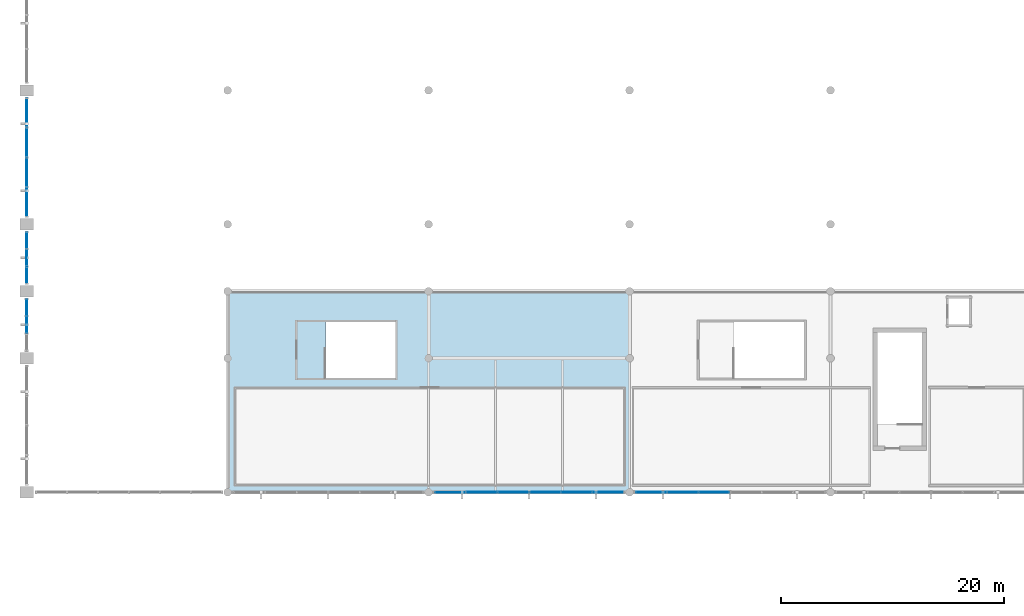
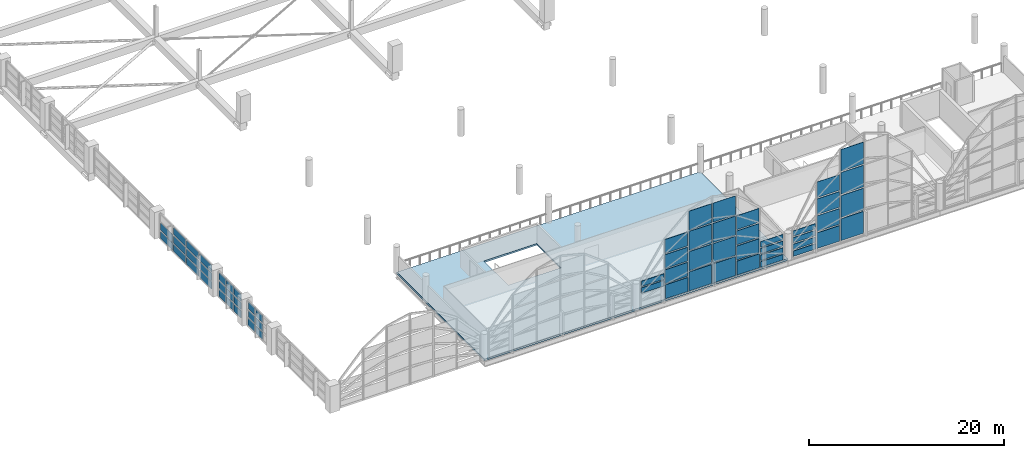
# One storey, part 84 of 116: 60 plates, 1 slab, 5 elements without a shape of their own.
"""IFC4 building model written with IfcOpenShell, lengths in metres."""

from ifc_helpers import new_model, si_unit, direction, frame, origin, origin_2d, place, context, subcontext, project, spatial, polyline, rectangle, outline, extrude, material, layer, layer_set, type_object, element, aggregate, save


model = new_model("IFC4")

# Units and contexts
model_context = context("Model", 3, precision=1e-05, world=origin(), true_north=direction((0.0, 1.0)))
body_context = subcontext(model_context, "Body", "Model", "MODEL_VIEW")
ifc_project = project(units=[si_unit("LENGTHUNIT", "METRE"), si_unit("AREAUNIT", "SQUARE_METRE"), si_unit("VOLUMEUNIT", "CUBIC_METRE"), si_unit("PLANEANGLEUNIT", "RADIAN"), si_unit("MASSUNIT", "GRAM", prefix="KILO")], contexts=[model_context])

# Site, building, storey
site_placement = place(None, origin())
site = spatial("IfcSite", under=ifc_project, at=site_placement, CompositionType="ELEMENT")
building_placement = place(site_placement, origin())
building = spatial("IfcBuilding", under=site, at=building_placement, Name="Chuanluo Vaults Station", CompositionType="ELEMENT")
storey_placement = place(building_placement, frame((0.0, 0.0, 10.800048828125)))
storey = spatial("IfcBuildingStorey", under=building, at=storey_placement, Name="L02", CompositionType="ELEMENT", Elevation=10.800048828125)

# Curtain wall, plates
ifc_material_1 = material(Name="Anodised aluminium 6063-T6", Category="aluminium")
curtain_wall_type_1 = type_object("IfcCurtainWallType", Name="CW-SYS-01", PredefinedType="NOTDEFINED", material=ifc_material_1)
curtain_wall_1_placement = place(storey_placement, origin())
curtain_wall_1 = element("IfcCurtainWall", 1, at=curtain_wall_1_placement, inside=storey, type_object=curtain_wall_type_1, Name="Train shed west clerestory CW 30 part 1", PredefinedType="NOTDEFINED")
ifc_material_2 = material(Name="Ceramic-fritted spandrel glass", Category="glass")
ifc_layer_1 = layer(ifc_material_2, 0.06396484375)
ifc_layer_set_1 = layer_set([ifc_layer_1], Name="Ceramic-fritted spandrel glass")
plate_type_1 = type_object("IfcPlateType", Name="CWP-SPN-42", PredefinedType="SHEET", material=ifc_layer_set_1)
plate_1_placement = place(storey_placement, frame((0.0, 33.0, 0.080078125), z_axis=(0.0, 0.0, 1.0), x_axis=(0.0, 1.0, 0.0)))
plate_1 = element("IfcPlate", 2, at=plate_1_placement, type_object=plate_type_1, Name="Train shed west clerestory CW 30 part 1 glazed panel 2.1", PredefinedType="SHEET", context=body_context, shape_type="SweptSolid", body=[
    extrude(rectangle(XDim=1.389892578125, YDim=0.06396484375, at=origin_2d()), origin(), (0.0, 0.0, 1.0), 0.889892578125),
])
plate_2_placement = place(storey_placement, frame((0.0, 34.550048828125, 0.080078125), z_axis=(0.0, 0.0, 1.0), x_axis=(0.0, 1.0, 0.0)))
plate_2 = element("IfcPlate", 3, at=plate_2_placement, type_object=plate_type_1, Name="Train shed west clerestory CW 30 part 1 glazed panel 3.1", PredefinedType="SHEET", context=body_context, shape_type="SweptSolid", body=[
    extrude(rectangle(XDim=1.389892578125, YDim=0.06396484375, at=origin_2d()), origin(), (0.0, 0.0, 1.0), 0.889892578125),
])

ifc_material_3 = material(Name="Anodised aluminium 6063-T6", Category="aluminium")
curtain_wall_type_2 = type_object("IfcCurtainWallType", Name="CW-SYS-07", PredefinedType="NOTDEFINED", material=ifc_material_3)
curtain_wall_2_placement = place(storey_placement, origin())
curtain_wall_2 = element("IfcCurtainWall", 4, at=curtain_wall_2_placement, inside=storey, type_object=curtain_wall_type_2, Name="Train shed west clerestory CW 42", PredefinedType="NOTDEFINED")
plate_3_placement = place(storey_placement, frame((0.0, 44.006103515625, 0.080078125), z_axis=(0.0, 0.0, 1.0), x_axis=(0.0, 1.0, 0.0)))
plate_3 = element("IfcPlate", 5, at=plate_3_placement, type_object=plate_type_1, Name="Train shed west clerestory CW 42 glazed panel 1.1", PredefinedType="SHEET", context=body_context, shape_type="SweptSolid", body=[
    extrude(rectangle(XDim=2.50244140625, YDim=0.06396484375, at=origin_2d()), origin(), (0.0, 0.0, 1.0), 0.889892578125),
])
plate_4_placement = place(storey_placement, frame((0.0, 46.668701171875, 0.080078125), z_axis=(0.0, 0.0, 1.0), x_axis=(0.0, 1.0, 0.0)))
plate_4 = element("IfcPlate", 6, at=plate_4_placement, type_object=plate_type_1, Name="Train shed west clerestory CW 42 glazed panel 2.1", PredefinedType="SHEET", context=body_context, shape_type="SweptSolid", body=[
    extrude(rectangle(XDim=2.50244140625, YDim=0.06396484375, at=origin_2d()), origin(), (0.0, 0.0, 1.0), 0.889892578125),
])
plate_5_placement = place(storey_placement, frame((0.0, 49.331298828125, 0.080078125), z_axis=(0.0, 0.0, 1.0), x_axis=(0.0, 1.0, 0.0)))
plate_5 = element("IfcPlate", 7, at=plate_5_placement, type_object=plate_type_1, Name="Train shed west clerestory CW 42 glazed panel 3.1", PredefinedType="SHEET", context=body_context, shape_type="SweptSolid", body=[
    extrude(rectangle(XDim=2.50244140625, YDim=0.06396484375, at=origin_2d()), origin(), (0.0, 0.0, 1.0), 0.889892578125),
])
plate_6_placement = place(storey_placement, frame((0.0, 51.993896484375, 0.080078125), z_axis=(0.0, 0.0, 1.0), x_axis=(0.0, 1.0, 0.0)))
plate_6 = element("IfcPlate", 8, at=plate_6_placement, type_object=plate_type_1, Name="Train shed west clerestory CW 42 glazed panel 4.1", PredefinedType="SHEET", context=body_context, shape_type="SweptSolid", body=[
    extrude(rectangle(XDim=2.50244140625, YDim=0.06396484375, at=origin_2d()), origin(), (0.0, 0.0, 1.0), 0.889892578125),
])

ifc_material_4 = material(Name="Anodised aluminium 6063-T6", Category="aluminium")
curtain_wall_type_3 = type_object("IfcCurtainWallType", Name="CW-SYS-08", PredefinedType="NOTDEFINED", material=ifc_material_4)
curtain_wall_3_placement = place(storey_placement, origin())
curtain_wall_3 = element("IfcCurtainWall", 9, at=curtain_wall_3_placement, inside=storey, type_object=curtain_wall_type_3, Name="Vault V3 south arched curtain wall", PredefinedType="NOTDEFINED")
ifc_material_5 = material(Name="Ceramic-fritted spandrel glass", Category="glass")
ifc_layer_2 = layer(ifc_material_5, 0.070068359375)
ifc_layer_set_2 = layer_set([ifc_layer_2], Name="Ceramic-fritted spandrel glass")
plate_type_2 = type_object("IfcPlateType", Name="CWP-SPN-50", PredefinedType="SHEET", material=ifc_layer_set_2)
plate_7_placement = place(storey_placement, frame((52.0625, 18.0, 0.080078125), z_axis=(0.0, 0.0, 1.0), x_axis=(-1.0, 0.0, 0.0)))
plate_7 = element("IfcPlate", 10, at=plate_7_placement, type_object=plate_type_2, Name="Vault V3 south arched curtain wall glazed panel 1.1", PredefinedType="SHEET", context=body_context, shape_type="SweptSolid", body=[
    extrude(rectangle(XDim=2.6650390625, YDim=0.070068359375, at=origin_2d()), origin(), (0.0, 0.0, 1.0), 0.677490234375),
])
plate_8_placement = place(storey_placement, frame((49.237548828125, 18.0, 0.080078125), z_axis=(0.0, 0.0, 1.0), x_axis=(-1.0, 0.0, 0.0)))
plate_8 = element("IfcPlate", 11, at=plate_8_placement, type_object=plate_type_2, Name="Vault V3 south arched curtain wall glazed panel 2.1", PredefinedType="SHEET", context=body_context, shape_type="SweptSolid", body=[
    extrude(rectangle(XDim=2.6650390625, YDim=0.070068359375, at=origin_2d()), origin(), (0.0, 0.0, 1.0), 1.739990234375),
])
plate_9_placement = place(storey_placement, frame((46.41259765625, 18.0, 0.080078125), z_axis=(0.0, 0.0, 1.0), x_axis=(-1.0, 0.0, 0.0)))
plate_9 = element("IfcPlate", 12, at=plate_9_placement, type_object=plate_type_2, Name="Vault V3 south arched curtain wall glazed panel 3.1", PredefinedType="SHEET", context=body_context, shape_type="SweptSolid", body=[
    extrude(rectangle(XDim=2.6650390625, YDim=0.070068359375, at=origin_2d()), origin(), (0.0, 0.0, 1.0), 2.37744140625),
])
plate_10_placement = place(storey_placement, frame((43.58740234375, 18.0, 0.080078125), z_axis=(0.0, 0.0, 1.0), x_axis=(-1.0, 0.0, 0.0)))
plate_10 = element("IfcPlate", 13, at=plate_10_placement, type_object=plate_type_2, Name="Vault V3 south arched curtain wall glazed panel 4.1", PredefinedType="SHEET", context=body_context, shape_type="SweptSolid", body=[
    extrude(rectangle(XDim=2.6650390625, YDim=0.070068359375, at=origin_2d()), origin(), (0.0, 0.0, 1.0), 2.37744140625),
])
plate_11_placement = place(storey_placement, frame((40.762451171875, 18.0, 0.080078125), z_axis=(0.0, 0.0, 1.0), x_axis=(-1.0, 0.0, 0.0)))
plate_11 = element("IfcPlate", 14, at=plate_11_placement, type_object=plate_type_2, Name="Vault V3 south arched curtain wall glazed panel 5.1", PredefinedType="SHEET", context=body_context, shape_type="SweptSolid", body=[
    extrude(rectangle(XDim=2.6650390625, YDim=0.070068359375, at=origin_2d()), origin(), (0.0, 0.0, 1.0), 1.739990234375),
])

ifc_material_6 = material(Name="Anodised aluminium 6063-T6", Category="aluminium")
curtain_wall_type_4 = type_object("IfcCurtainWallType", Name="CW-SYS-12", PredefinedType="NOTDEFINED", material=ifc_material_6)
curtain_wall_4_placement = place(storey_placement, origin())
curtain_wall_4 = element("IfcCurtainWall", 15, at=curtain_wall_4_placement, inside=storey, type_object=curtain_wall_type_4, Name="Vault V4 south arched curtain wall", PredefinedType="NOTDEFINED")
plate_12_placement = place(storey_placement, frame((61.58740234375, 18.0, 0.080078125), z_axis=(0.0, 0.0, 1.0), x_axis=(-1.0, 0.0, 0.0)))
plate_12 = element("IfcPlate", 16, at=plate_12_placement, type_object=plate_type_2, Name="Vault V4 south arched curtain wall glazed panel 4.1", PredefinedType="SHEET", context=body_context, shape_type="SweptSolid", body=[
    extrude(rectangle(XDim=2.6650390625, YDim=0.070068359375, at=origin_2d()), origin(), (0.0, 0.0, 1.0), 2.73291015625),
])
plate_13_placement = place(storey_placement, frame((58.762451171875, 18.0, 0.080078125), z_axis=(0.0, 0.0, 1.0), x_axis=(-1.0, 0.0, 0.0)))
plate_13 = element("IfcPlate", 17, at=plate_13_placement, type_object=plate_type_2, Name="Vault V4 south arched curtain wall glazed panel 5.1", PredefinedType="SHEET", context=body_context, shape_type="SweptSolid", body=[
    extrude(rectangle(XDim=2.6650390625, YDim=0.070068359375, at=origin_2d()), origin(), (0.0, 0.0, 1.0), 1.962158203125),
])
plate_14_placement = place(storey_placement, frame((55.9375, 18.0, 0.080078125), z_axis=(0.0, 0.0, 1.0), x_axis=(-1.0, 0.0, 0.0)))
plate_14 = element("IfcPlate", 18, at=plate_14_placement, type_object=plate_type_2, Name="Vault V4 south arched curtain wall glazed panel 6.1", PredefinedType="SHEET", context=body_context, shape_type="SweptSolid", body=[
    extrude(rectangle(XDim=2.6650390625, YDim=0.070068359375, at=origin_2d()), origin(), (0.0, 0.0, 1.0), 0.677490234375),
])

ifc_material_7 = material(Name="Anodised aluminium 6063-T6", Category="aluminium")
curtain_wall_type_5 = type_object("IfcCurtainWallType", Name="CW-SYS-02", PredefinedType="NOTDEFINED", material=ifc_material_7)
curtain_wall_5_placement = place(storey_placement, origin())
curtain_wall_5 = element("IfcCurtainWall", 19, at=curtain_wall_5_placement, inside=storey, type_object=curtain_wall_type_5, Name="Train shed west clerestory CW 30 part 2", PredefinedType="NOTDEFINED")
plate_15_placement = place(storey_placement, frame((0.0, 37.449951171875, 0.080078125), z_axis=(0.0, 0.0, 1.0), x_axis=(0.0, 1.0, 0.0)))
plate_15 = element("IfcPlate", 20, at=plate_15_placement, type_object=plate_type_2, Name="Train shed west clerestory CW 30 part 2 glazed panel 1.1", PredefinedType="SHEET", context=body_context, shape_type="SweptSolid", body=[
    extrude(rectangle(XDim=1.389892578125, YDim=0.070068359375, at=origin_2d()), origin(), (0.0, 0.0, 1.0), 0.889892578125),
])
plate_16_placement = place(storey_placement, frame((0.0, 39.0, 0.080078125), z_axis=(0.0, 0.0, 1.0), x_axis=(0.0, 1.0, 0.0)))
plate_16 = element("IfcPlate", 21, at=plate_16_placement, type_object=plate_type_2, Name="Train shed west clerestory CW 30 part 2 glazed panel 2.1", PredefinedType="SHEET", context=body_context, shape_type="SweptSolid", body=[
    extrude(rectangle(XDim=1.389892578125, YDim=0.070068359375, at=origin_2d()), origin(), (0.0, 0.0, 1.0), 0.889892578125),
])
plate_17_placement = place(storey_placement, frame((0.0, 40.550048828125, 0.080078125), z_axis=(0.0, 0.0, 1.0), x_axis=(0.0, 1.0, 0.0)))
plate_17 = element("IfcPlate", 22, at=plate_17_placement, type_object=plate_type_2, Name="Train shed west clerestory CW 30 part 2 glazed panel 3.1", PredefinedType="SHEET", context=body_context, shape_type="SweptSolid", body=[
    extrude(rectangle(XDim=1.389892578125, YDim=0.070068359375, at=origin_2d()), origin(), (0.0, 0.0, 1.0), 0.889892578125),
])

# Plate
ifc_material_8 = material(Name="Double-silver Low-E laminated glass", Category="glass")
ifc_layer_3 = layer(ifc_material_8, 0.0439453125)
ifc_layer_set_3 = layer_set([ifc_layer_3], Name="Double-silver Low-E laminated glass")
plate_type_3 = type_object("IfcPlateType", Name="CWP-VIS-28", PredefinedType="CURTAIN_PANEL", material=ifc_layer_set_3)
plate_18_placement = place(storey_placement, frame((52.0625, 18.0, 0.91748046875), z_axis=(0.0, 0.0, 1.0), x_axis=(-1.0, 0.0, 0.0)))
plate_18 = element("IfcPlate", 23, at=plate_18_placement, type_object=plate_type_3, Name="Vault V3 south arched curtain wall glazed panel 1.2", PredefinedType="CURTAIN_PANEL", context=body_context, shape_type="SweptSolid", body=[
    extrude(rectangle(XDim=2.6650390625, YDim=0.0439453125, at=origin_2d()), origin(), (0.0, 0.0, 1.0), 0.677490234375),
])

plate_19_placement = place(storey_placement, frame((52.0625, 18.0, 1.7548828125), z_axis=(0.0, 0.0, 1.0), x_axis=(-1.0, 0.0, 0.0)))
plate_19 = element("IfcPlate", 24, at=plate_19_placement, type_object=plate_type_3, Name="Vault V3 south arched curtain wall glazed panel 1.3", PredefinedType="CURTAIN_PANEL", context=body_context, shape_type="SweptSolid", body=[
    extrude(rectangle(XDim=2.6650390625, YDim=0.0439453125, at=origin_2d()), origin(), (0.0, 0.0, 1.0), 0.677490234375),
])

plate_20_placement = place(storey_placement, frame((52.0625, 18.0, 2.59228515625), z_axis=(0.0, 0.0, 1.0), x_axis=(-1.0, 0.0, 0.0)))
plate_20 = element("IfcPlate", 25, at=plate_20_placement, type_object=plate_type_3, Name="Vault V3 south arched curtain wall glazed panel 1.4", PredefinedType="CURTAIN_PANEL", context=body_context, shape_type="SweptSolid", body=[
    extrude(rectangle(XDim=2.6650390625, YDim=0.0439453125, at=origin_2d()), origin(), (0.0, 0.0, 1.0), 0.677490234375),
])

plate_21_placement = place(storey_placement, frame((49.237548828125, 18.0, 1.97998046875), z_axis=(0.0, 0.0, 1.0), x_axis=(-1.0, 0.0, 0.0)))
plate_21 = element("IfcPlate", 26, at=plate_21_placement, type_object=plate_type_3, Name="Vault V3 south arched curtain wall glazed panel 2.2", PredefinedType="CURTAIN_PANEL", context=body_context, shape_type="SweptSolid", body=[
    extrude(rectangle(XDim=2.6650390625, YDim=0.0439453125, at=origin_2d()), origin(), (0.0, 0.0, 1.0), 1.739990234375),
])

plate_22_placement = place(storey_placement, frame((49.237548828125, 18.0, 3.8798828125), z_axis=(0.0, 0.0, 1.0), x_axis=(-1.0, 0.0, 0.0)))
plate_22 = element("IfcPlate", 27, at=plate_22_placement, type_object=plate_type_3, Name="Vault V3 south arched curtain wall glazed panel 2.3", PredefinedType="CURTAIN_PANEL", context=body_context, shape_type="SweptSolid", body=[
    extrude(rectangle(XDim=2.6650390625, YDim=0.0439453125, at=origin_2d()), origin(), (0.0, 0.0, 1.0), 1.739990234375),
])

plate_23_placement = place(storey_placement, frame((49.237548828125, 18.0, 5.77978515625), z_axis=(0.0, 0.0, 1.0), x_axis=(-1.0, 0.0, 0.0)))
plate_23 = element("IfcPlate", 28, at=plate_23_placement, type_object=plate_type_3, Name="Vault V3 south arched curtain wall glazed panel 2.4", PredefinedType="CURTAIN_PANEL", context=body_context, shape_type="SweptSolid", body=[
    extrude(rectangle(XDim=2.6650390625, YDim=0.0439453125, at=origin_2d()), origin(), (0.0, 0.0, 1.0), 1.739990234375),
])

plate_24_placement = place(storey_placement, frame((46.41259765625, 18.0, 2.617431640625), z_axis=(0.0, 0.0, 1.0), x_axis=(-1.0, 0.0, 0.0)))
plate_24 = element("IfcPlate", 29, at=plate_24_placement, type_object=plate_type_3, Name="Vault V3 south arched curtain wall glazed panel 3.2", PredefinedType="CURTAIN_PANEL", context=body_context, shape_type="SweptSolid", body=[
    extrude(rectangle(XDim=2.6650390625, YDim=0.0439453125, at=origin_2d()), origin(), (0.0, 0.0, 1.0), 2.37744140625),
])

plate_25_placement = place(storey_placement, frame((46.41259765625, 18.0, 5.155029296875), z_axis=(0.0, 0.0, 1.0), x_axis=(-1.0, 0.0, 0.0)))
plate_25 = element("IfcPlate", 30, at=plate_25_placement, type_object=plate_type_3, Name="Vault V3 south arched curtain wall glazed panel 3.3", PredefinedType="CURTAIN_PANEL", context=body_context, shape_type="SweptSolid", body=[
    extrude(rectangle(XDim=2.6650390625, YDim=0.0439453125, at=origin_2d()), origin(), (0.0, 0.0, 1.0), 2.37744140625),
])

plate_26_placement = place(storey_placement, frame((46.41259765625, 18.0, 7.6923828125), z_axis=(0.0, 0.0, 1.0), x_axis=(-1.0, 0.0, 0.0)))
plate_26 = element("IfcPlate", 31, at=plate_26_placement, type_object=plate_type_3, Name="Vault V3 south arched curtain wall glazed panel 3.4", PredefinedType="CURTAIN_PANEL", context=body_context, shape_type="SweptSolid", body=[
    extrude(rectangle(XDim=2.6650390625, YDim=0.0439453125, at=origin_2d()), origin(), (0.0, 0.0, 1.0), 2.37744140625),
])

plate_27_placement = place(storey_placement, frame((43.58740234375, 18.0, 2.617431640625), z_axis=(0.0, 0.0, 1.0), x_axis=(-1.0, 0.0, 0.0)))
plate_27 = element("IfcPlate", 32, at=plate_27_placement, type_object=plate_type_3, Name="Vault V3 south arched curtain wall glazed panel 4.2", PredefinedType="CURTAIN_PANEL", context=body_context, shape_type="SweptSolid", body=[
    extrude(rectangle(XDim=2.6650390625, YDim=0.0439453125, at=origin_2d()), origin(), (0.0, 0.0, 1.0), 2.37744140625),
])

plate_28_placement = place(storey_placement, frame((43.58740234375, 18.0, 5.155029296875), z_axis=(0.0, 0.0, 1.0), x_axis=(-1.0, 0.0, 0.0)))
plate_28 = element("IfcPlate", 33, at=plate_28_placement, type_object=plate_type_3, Name="Vault V3 south arched curtain wall glazed panel 4.3", PredefinedType="CURTAIN_PANEL", context=body_context, shape_type="SweptSolid", body=[
    extrude(rectangle(XDim=2.6650390625, YDim=0.0439453125, at=origin_2d()), origin(), (0.0, 0.0, 1.0), 2.37744140625),
])

plate_29_placement = place(storey_placement, frame((43.58740234375, 18.0, 7.6923828125), z_axis=(0.0, 0.0, 1.0), x_axis=(-1.0, 0.0, 0.0)))
plate_29 = element("IfcPlate", 34, at=plate_29_placement, type_object=plate_type_3, Name="Vault V3 south arched curtain wall glazed panel 4.4", PredefinedType="CURTAIN_PANEL", context=body_context, shape_type="SweptSolid", body=[
    extrude(rectangle(XDim=2.6650390625, YDim=0.0439453125, at=origin_2d()), origin(), (0.0, 0.0, 1.0), 2.37744140625),
])

plate_30_placement = place(storey_placement, frame((40.762451171875, 18.0, 1.97998046875), z_axis=(0.0, 0.0, 1.0), x_axis=(-1.0, 0.0, 0.0)))
plate_30 = element("IfcPlate", 35, at=plate_30_placement, type_object=plate_type_3, Name="Vault V3 south arched curtain wall glazed panel 5.2", PredefinedType="CURTAIN_PANEL", context=body_context, shape_type="SweptSolid", body=[
    extrude(rectangle(XDim=2.6650390625, YDim=0.0439453125, at=origin_2d()), origin(), (0.0, 0.0, 1.0), 1.739990234375),
])

plate_31_placement = place(storey_placement, frame((40.762451171875, 18.0, 3.8798828125), z_axis=(0.0, 0.0, 1.0), x_axis=(-1.0, 0.0, 0.0)))
plate_31 = element("IfcPlate", 36, at=plate_31_placement, type_object=plate_type_3, Name="Vault V3 south arched curtain wall glazed panel 5.3", PredefinedType="CURTAIN_PANEL", context=body_context, shape_type="SweptSolid", body=[
    extrude(rectangle(XDim=2.6650390625, YDim=0.0439453125, at=origin_2d()), origin(), (0.0, 0.0, 1.0), 1.739990234375),
])

plate_32_placement = place(storey_placement, frame((40.762451171875, 18.0, 5.77978515625), z_axis=(0.0, 0.0, 1.0), x_axis=(-1.0, 0.0, 0.0)))
plate_32 = element("IfcPlate", 37, at=plate_32_placement, type_object=plate_type_3, Name="Vault V3 south arched curtain wall glazed panel 5.4", PredefinedType="CURTAIN_PANEL", context=body_context, shape_type="SweptSolid", body=[
    extrude(rectangle(XDim=2.6650390625, YDim=0.0439453125, at=origin_2d()), origin(), (0.0, 0.0, 1.0), 1.739990234375),
])

plate_33_placement = place(storey_placement, frame((37.9375, 18.0, 1.7548828125), z_axis=(0.0, 0.0, 1.0), x_axis=(-1.0, 0.0, 0.0)))
plate_33 = element("IfcPlate", 38, at=plate_33_placement, type_object=plate_type_3, Name="Vault V3 south arched curtain wall glazed panel 6.3", PredefinedType="CURTAIN_PANEL", context=body_context, shape_type="SweptSolid", body=[
    extrude(rectangle(XDim=2.6650390625, YDim=0.0439453125, at=origin_2d()), origin(), (0.0, 0.0, 1.0), 0.677490234375),
])

plate_34_placement = place(storey_placement, frame((37.9375, 18.0, 2.59228515625), z_axis=(0.0, 0.0, 1.0), x_axis=(-1.0, 0.0, 0.0)))
plate_34 = element("IfcPlate", 39, at=plate_34_placement, type_object=plate_type_3, Name="Vault V3 south arched curtain wall glazed panel 6.4", PredefinedType="CURTAIN_PANEL", context=body_context, shape_type="SweptSolid", body=[
    extrude(rectangle(XDim=2.6650390625, YDim=0.0439453125, at=origin_2d()), origin(), (0.0, 0.0, 1.0), 0.677490234375),
])

aggregate(curtain_wall_3, [plate_7, plate_18, plate_19, plate_20, plate_8, plate_21, plate_22, plate_23, plate_9, plate_24, plate_25, plate_26, plate_10, plate_27, plate_28, plate_29, plate_11, plate_30, plate_31, plate_32, plate_33, plate_34])

plate_35_placement = place(storey_placement, frame((61.58740234375, 18.0, 2.97265625), z_axis=(0.0, 0.0, 1.0), x_axis=(-1.0, 0.0, 0.0)))
plate_35 = element("IfcPlate", 40, at=plate_35_placement, type_object=plate_type_3, Name="Vault V4 south arched curtain wall glazed panel 4.2", PredefinedType="CURTAIN_PANEL", context=body_context, shape_type="SweptSolid", body=[
    extrude(rectangle(XDim=2.6650390625, YDim=0.0439453125, at=origin_2d()), origin(), (0.0, 0.0, 1.0), 2.733154296875),
])

plate_36_placement = place(storey_placement, frame((61.58740234375, 18.0, 5.8662109375), z_axis=(0.0, 0.0, 1.0), x_axis=(-1.0, 0.0, 0.0)))
plate_36 = element("IfcPlate", 41, at=plate_36_placement, type_object=plate_type_3, Name="Vault V4 south arched curtain wall glazed panel 4.3", PredefinedType="CURTAIN_PANEL", context=body_context, shape_type="SweptSolid", body=[
    extrude(rectangle(XDim=2.6650390625, YDim=0.0439453125, at=origin_2d()), origin(), (0.0, 0.0, 1.0), 2.733154296875),
])

plate_37_placement = place(storey_placement, frame((61.58740234375, 18.0, 8.75927734375), z_axis=(0.0, 0.0, 1.0), x_axis=(-1.0, 0.0, 0.0)))
plate_37 = element("IfcPlate", 42, at=plate_37_placement, type_object=plate_type_3, Name="Vault V4 south arched curtain wall glazed panel 4.4", PredefinedType="CURTAIN_PANEL", context=body_context, shape_type="SweptSolid", body=[
    extrude(rectangle(XDim=2.6650390625, YDim=0.0439453125, at=origin_2d()), origin(), (0.0, 0.0, 1.0), 2.733154296875),
])

plate_38_placement = place(storey_placement, frame((58.762451171875, 18.0, 2.2021484375), z_axis=(0.0, 0.0, 1.0), x_axis=(-1.0, 0.0, 0.0)))
plate_38 = element("IfcPlate", 43, at=plate_38_placement, type_object=plate_type_3, Name="Vault V4 south arched curtain wall glazed panel 5.2", PredefinedType="CURTAIN_PANEL", context=body_context, shape_type="SweptSolid", body=[
    extrude(rectangle(XDim=2.6650390625, YDim=0.0439453125, at=origin_2d()), origin(), (0.0, 0.0, 1.0), 1.96240234375),
])

plate_39_placement = place(storey_placement, frame((58.762451171875, 18.0, 4.32470703125), z_axis=(0.0, 0.0, 1.0), x_axis=(-1.0, 0.0, 0.0)))
plate_39 = element("IfcPlate", 44, at=plate_39_placement, type_object=plate_type_3, Name="Vault V4 south arched curtain wall glazed panel 5.3", PredefinedType="CURTAIN_PANEL", context=body_context, shape_type="SweptSolid", body=[
    extrude(rectangle(XDim=2.6650390625, YDim=0.0439453125, at=origin_2d()), origin(), (0.0, 0.0, 1.0), 1.962158203125),
])

plate_40_placement = place(storey_placement, frame((58.762451171875, 18.0, 6.44677734375), z_axis=(0.0, 0.0, 1.0), x_axis=(-1.0, 0.0, 0.0)))
plate_40 = element("IfcPlate", 45, at=plate_40_placement, type_object=plate_type_3, Name="Vault V4 south arched curtain wall glazed panel 5.4", PredefinedType="CURTAIN_PANEL", context=body_context, shape_type="SweptSolid", body=[
    extrude(rectangle(XDim=2.6650390625, YDim=0.0439453125, at=origin_2d()), origin(), (0.0, 0.0, 1.0), 1.962158203125),
])

plate_41_placement = place(storey_placement, frame((55.9375, 18.0, 0.91748046875), z_axis=(0.0, 0.0, 1.0), x_axis=(-1.0, 0.0, 0.0)))
plate_41 = element("IfcPlate", 46, at=plate_41_placement, type_object=plate_type_3, Name="Vault V4 south arched curtain wall glazed panel 6.2", PredefinedType="CURTAIN_PANEL", context=body_context, shape_type="SweptSolid", body=[
    extrude(rectangle(XDim=2.6650390625, YDim=0.0439453125, at=origin_2d()), origin(), (0.0, 0.0, 1.0), 0.677490234375),
])

plate_42_placement = place(storey_placement, frame((55.9375, 18.0, 1.7548828125), z_axis=(0.0, 0.0, 1.0), x_axis=(-1.0, 0.0, 0.0)))
plate_42 = element("IfcPlate", 47, at=plate_42_placement, type_object=plate_type_3, Name="Vault V4 south arched curtain wall glazed panel 6.3", PredefinedType="CURTAIN_PANEL", context=body_context, shape_type="SweptSolid", body=[
    extrude(rectangle(XDim=2.6650390625, YDim=0.0439453125, at=origin_2d()), origin(), (0.0, 0.0, 1.0), 0.677490234375),
])

plate_43_placement = place(storey_placement, frame((55.9375, 18.0, 2.59228515625), z_axis=(0.0, 0.0, 1.0), x_axis=(-1.0, 0.0, 0.0)))
plate_43 = element("IfcPlate", 48, at=plate_43_placement, type_object=plate_type_3, Name="Vault V4 south arched curtain wall glazed panel 6.4", PredefinedType="CURTAIN_PANEL", context=body_context, shape_type="SweptSolid", body=[
    extrude(rectangle(XDim=2.6650390625, YDim=0.0439453125, at=origin_2d()), origin(), (0.0, 0.0, 1.0), 0.677490234375),
])

aggregate(curtain_wall_4, [plate_12, plate_35, plate_36, plate_37, plate_13, plate_38, plate_39, plate_40, plate_14, plate_41, plate_42, plate_43])

ifc_material_9 = material(Name="Double-silver Low-E laminated glass", Category="glass")
ifc_layer_4 = layer(ifc_material_9, 0.048095703125)
ifc_layer_set_4 = layer_set([ifc_layer_4], Name="Double-silver Low-E laminated glass")
plate_type_4 = type_object("IfcPlateType", Name="CWP-VIS-32", PredefinedType="CURTAIN_PANEL", material=ifc_layer_set_4)
plate_44_placement = place(storey_placement, frame((0.0, 44.006103515625, 1.1298828125), z_axis=(0.0, 0.0, 1.0), x_axis=(0.0, 1.0, 0.0)))
plate_44 = element("IfcPlate", 49, at=plate_44_placement, type_object=plate_type_4, Name="Train shed west clerestory CW 42 glazed panel 1.2", PredefinedType="CURTAIN_PANEL", context=body_context, shape_type="SweptSolid", body=[
    extrude(rectangle(XDim=2.50244140625, YDim=0.048095703125, at=origin_2d()), origin(), (0.0, 0.0, 1.0), 0.889892578125),
])

plate_45_placement = place(storey_placement, frame((0.0, 44.006103515625, 2.18017578125), z_axis=(0.0, 0.0, 1.0), x_axis=(0.0, 1.0, 0.0)))
plate_45 = element("IfcPlate", 50, at=plate_45_placement, type_object=plate_type_4, Name="Train shed west clerestory CW 42 glazed panel 1.3", PredefinedType="CURTAIN_PANEL", context=body_context, shape_type="SweptSolid", body=[
    extrude(rectangle(XDim=2.50244140625, YDim=0.048095703125, at=origin_2d()), origin(), (0.0, 0.0, 1.0), 0.889892578125),
])

plate_46_placement = place(storey_placement, frame((0.0, 46.668701171875, 1.1298828125), z_axis=(0.0, 0.0, 1.0), x_axis=(0.0, 1.0, 0.0)))
plate_46 = element("IfcPlate", 51, at=plate_46_placement, type_object=plate_type_4, Name="Train shed west clerestory CW 42 glazed panel 2.2", PredefinedType="CURTAIN_PANEL", context=body_context, shape_type="SweptSolid", body=[
    extrude(rectangle(XDim=2.50244140625, YDim=0.048095703125, at=origin_2d()), origin(), (0.0, 0.0, 1.0), 0.889892578125),
])

plate_47_placement = place(storey_placement, frame((0.0, 46.668701171875, 2.18017578125), z_axis=(0.0, 0.0, 1.0), x_axis=(0.0, 1.0, 0.0)))
plate_47 = element("IfcPlate", 52, at=plate_47_placement, type_object=plate_type_4, Name="Train shed west clerestory CW 42 glazed panel 2.3", PredefinedType="CURTAIN_PANEL", context=body_context, shape_type="SweptSolid", body=[
    extrude(rectangle(XDim=2.50244140625, YDim=0.048095703125, at=origin_2d()), origin(), (0.0, 0.0, 1.0), 0.889892578125),
])

plate_48_placement = place(storey_placement, frame((0.0, 49.331298828125, 1.1298828125), z_axis=(0.0, 0.0, 1.0), x_axis=(0.0, 1.0, 0.0)))
plate_48 = element("IfcPlate", 53, at=plate_48_placement, type_object=plate_type_4, Name="Train shed west clerestory CW 42 glazed panel 3.2", PredefinedType="CURTAIN_PANEL", context=body_context, shape_type="SweptSolid", body=[
    extrude(rectangle(XDim=2.50244140625, YDim=0.048095703125, at=origin_2d()), origin(), (0.0, 0.0, 1.0), 0.889892578125),
])

plate_49_placement = place(storey_placement, frame((0.0, 49.331298828125, 2.18017578125), z_axis=(0.0, 0.0, 1.0), x_axis=(0.0, 1.0, 0.0)))
plate_49 = element("IfcPlate", 54, at=plate_49_placement, type_object=plate_type_4, Name="Train shed west clerestory CW 42 glazed panel 3.3", PredefinedType="CURTAIN_PANEL", context=body_context, shape_type="SweptSolid", body=[
    extrude(rectangle(XDim=2.50244140625, YDim=0.048095703125, at=origin_2d()), origin(), (0.0, 0.0, 1.0), 0.889892578125),
])

plate_50_placement = place(storey_placement, frame((0.0, 51.993896484375, 1.1298828125), z_axis=(0.0, 0.0, 1.0), x_axis=(0.0, 1.0, 0.0)))
plate_50 = element("IfcPlate", 55, at=plate_50_placement, type_object=plate_type_4, Name="Train shed west clerestory CW 42 glazed panel 4.2", PredefinedType="CURTAIN_PANEL", context=body_context, shape_type="SweptSolid", body=[
    extrude(rectangle(XDim=2.50244140625, YDim=0.048095703125, at=origin_2d()), origin(), (0.0, 0.0, 1.0), 0.889892578125),
])

aggregate(curtain_wall_2, [plate_3, plate_44, plate_45, plate_4, plate_46, plate_47, plate_5, plate_48, plate_49, plate_6, plate_50])

ifc_material_10 = material(Name="Double-silver Low-E laminated glass", Category="glass")
ifc_layer_5 = layer(ifc_material_10, 0.053955078125)
ifc_layer_set_5 = layer_set([ifc_layer_5], Name="Double-silver Low-E laminated glass")
plate_type_5 = type_object("IfcPlateType", Name="CWP-VIS-36", PredefinedType="CURTAIN_PANEL", material=ifc_layer_set_5)
plate_51_placement = place(storey_placement, frame((0.0, 37.449951171875, 1.1298828125), z_axis=(0.0, 0.0, 1.0), x_axis=(0.0, 1.0, 0.0)))
plate_51 = element("IfcPlate", 56, at=plate_51_placement, type_object=plate_type_5, Name="Train shed west clerestory CW 30 part 2 glazed panel 1.2", PredefinedType="CURTAIN_PANEL", context=body_context, shape_type="SweptSolid", body=[
    extrude(rectangle(XDim=1.389892578125, YDim=0.053955078125, at=origin_2d()), origin(), (0.0, 0.0, 1.0), 0.889892578125),
])

plate_52_placement = place(storey_placement, frame((0.0, 37.449951171875, 2.18017578125), z_axis=(0.0, 0.0, 1.0), x_axis=(0.0, 1.0, 0.0)))
plate_52 = element("IfcPlate", 57, at=plate_52_placement, type_object=plate_type_5, Name="Train shed west clerestory CW 30 part 2 glazed panel 1.3", PredefinedType="CURTAIN_PANEL", context=body_context, shape_type="SweptSolid", body=[
    extrude(rectangle(XDim=1.389892578125, YDim=0.053955078125, at=origin_2d()), origin(), (0.0, 0.0, 1.0), 0.889892578125),
])

plate_53_placement = place(storey_placement, frame((0.0, 39.0, 1.1298828125), z_axis=(0.0, 0.0, 1.0), x_axis=(0.0, 1.0, 0.0)))
plate_53 = element("IfcPlate", 58, at=plate_53_placement, type_object=plate_type_5, Name="Train shed west clerestory CW 30 part 2 glazed panel 2.2", PredefinedType="CURTAIN_PANEL", context=body_context, shape_type="SweptSolid", body=[
    extrude(rectangle(XDim=1.389892578125, YDim=0.053955078125, at=origin_2d()), origin(), (0.0, 0.0, 1.0), 0.889892578125),
])

plate_54_placement = place(storey_placement, frame((0.0, 39.0, 2.18017578125), z_axis=(0.0, 0.0, 1.0), x_axis=(0.0, 1.0, 0.0)))
plate_54 = element("IfcPlate", 59, at=plate_54_placement, type_object=plate_type_5, Name="Train shed west clerestory CW 30 part 2 glazed panel 2.3", PredefinedType="CURTAIN_PANEL", context=body_context, shape_type="SweptSolid", body=[
    extrude(rectangle(XDim=1.389892578125, YDim=0.053955078125, at=origin_2d()), origin(), (0.0, 0.0, 1.0), 0.889892578125),
])

plate_55_placement = place(storey_placement, frame((0.0, 40.550048828125, 1.1298828125), z_axis=(0.0, 0.0, 1.0), x_axis=(0.0, 1.0, 0.0)))
plate_55 = element("IfcPlate", 60, at=plate_55_placement, type_object=plate_type_5, Name="Train shed west clerestory CW 30 part 2 glazed panel 3.2", PredefinedType="CURTAIN_PANEL", context=body_context, shape_type="SweptSolid", body=[
    extrude(rectangle(XDim=1.389892578125, YDim=0.053955078125, at=origin_2d()), origin(), (0.0, 0.0, 1.0), 0.889892578125),
])

plate_56_placement = place(storey_placement, frame((0.0, 40.550048828125, 2.18017578125), z_axis=(0.0, 0.0, 1.0), x_axis=(0.0, 1.0, 0.0)))
plate_56 = element("IfcPlate", 61, at=plate_56_placement, type_object=plate_type_5, Name="Train shed west clerestory CW 30 part 2 glazed panel 3.3", PredefinedType="CURTAIN_PANEL", context=body_context, shape_type="SweptSolid", body=[
    extrude(rectangle(XDim=1.389892578125, YDim=0.053955078125, at=origin_2d()), origin(), (0.0, 0.0, 1.0), 0.889892578125),
])

aggregate(curtain_wall_5, [plate_15, plate_51, plate_52, plate_16, plate_53, plate_54, plate_17, plate_55, plate_56])

ifc_material_11 = material(Name="Double-silver Low-E laminated glass", Category="glass")
ifc_layer_6 = layer(ifc_material_11, 0.05810546875)
ifc_layer_set_6 = layer_set([ifc_layer_6], Name="Double-silver Low-E laminated glass")
plate_type_6 = type_object("IfcPlateType", Name="CWP-VIS-38", PredefinedType="CURTAIN_PANEL", material=ifc_layer_set_6)
plate_57_placement = place(storey_placement, frame((0.0, 33.0, 1.1298828125), z_axis=(0.0, 0.0, 1.0), x_axis=(0.0, 1.0, 0.0)))
plate_57 = element("IfcPlate", 62, at=plate_57_placement, type_object=plate_type_6, Name="Train shed west clerestory CW 30 part 1 glazed panel 2.2", PredefinedType="CURTAIN_PANEL", context=body_context, shape_type="SweptSolid", body=[
    extrude(rectangle(XDim=1.389892578125, YDim=0.05810546875, at=origin_2d()), origin(), (0.0, 0.0, 1.0), 0.889892578125),
])

plate_58_placement = place(storey_placement, frame((0.0, 33.0, 2.18017578125), z_axis=(0.0, 0.0, 1.0), x_axis=(0.0, 1.0, 0.0)))
plate_58 = element("IfcPlate", 63, at=plate_58_placement, type_object=plate_type_6, Name="Train shed west clerestory CW 30 part 1 glazed panel 2.3", PredefinedType="CURTAIN_PANEL", context=body_context, shape_type="SweptSolid", body=[
    extrude(rectangle(XDim=1.389892578125, YDim=0.05810546875, at=origin_2d()), origin(), (0.0, 0.0, 1.0), 0.889892578125),
])

plate_59_placement = place(storey_placement, frame((0.0, 34.550048828125, 1.1298828125), z_axis=(0.0, 0.0, 1.0), x_axis=(0.0, 1.0, 0.0)))
plate_59 = element("IfcPlate", 64, at=plate_59_placement, type_object=plate_type_6, Name="Train shed west clerestory CW 30 part 1 glazed panel 3.2", PredefinedType="CURTAIN_PANEL", context=body_context, shape_type="SweptSolid", body=[
    extrude(rectangle(XDim=1.389892578125, YDim=0.05810546875, at=origin_2d()), origin(), (0.0, 0.0, 1.0), 0.889892578125),
])

plate_60_placement = place(storey_placement, frame((0.0, 34.550048828125, 2.18017578125), z_axis=(0.0, 0.0, 1.0), x_axis=(0.0, 1.0, 0.0)))
plate_60 = element("IfcPlate", 65, at=plate_60_placement, type_object=plate_type_6, Name="Train shed west clerestory CW 30 part 1 glazed panel 3.3", PredefinedType="CURTAIN_PANEL", context=body_context, shape_type="SweptSolid", body=[
    extrude(rectangle(XDim=1.389892578125, YDim=0.05810546875, at=origin_2d()), origin(), (0.0, 0.0, 1.0), 0.889892578125),
])

aggregate(curtain_wall_1, [plate_1, plate_57, plate_58, plate_2, plate_59, plate_60])

# Slab
ifc_material_12 = material(Name="Concrete C40", Category="concrete")
ifc_layer_7 = layer(ifc_material_12, 0.219970703125)
ifc_layer_set_7 = layer_set([ifc_layer_7], Name="Concrete C40")
slab_type = type_object("IfcSlabType", Name="SLB-OPS-220", PredefinedType="FLOOR", material=ifc_layer_set_7)
slab_placement = place(storey_placement, frame((0.0, 0.0, -0.219970703125)))
element("IfcSlab", 66, at=slab_placement, inside=storey, type_object=slab_type, Name="L02 MEZZ slab 01", PredefinedType="FLOOR", context=body_context, shape_type="SweptSolid", body=[
    extrude(outline(polyline([(18.0, 18.0), (54.0, 18.0), (54.0, 36.0), (18.0, 36.0), (18.0, 18.0)]), holes=[polyline([(26.75390625, 28.25), (33.02490234375, 28.25), (33.02490234375, 33.25), (26.75390625, 33.25), (26.75390625, 28.25)])]), origin(), (0.0, 0.0, 1.0), 0.219970703125),
])

save(model, "model.ifc")
